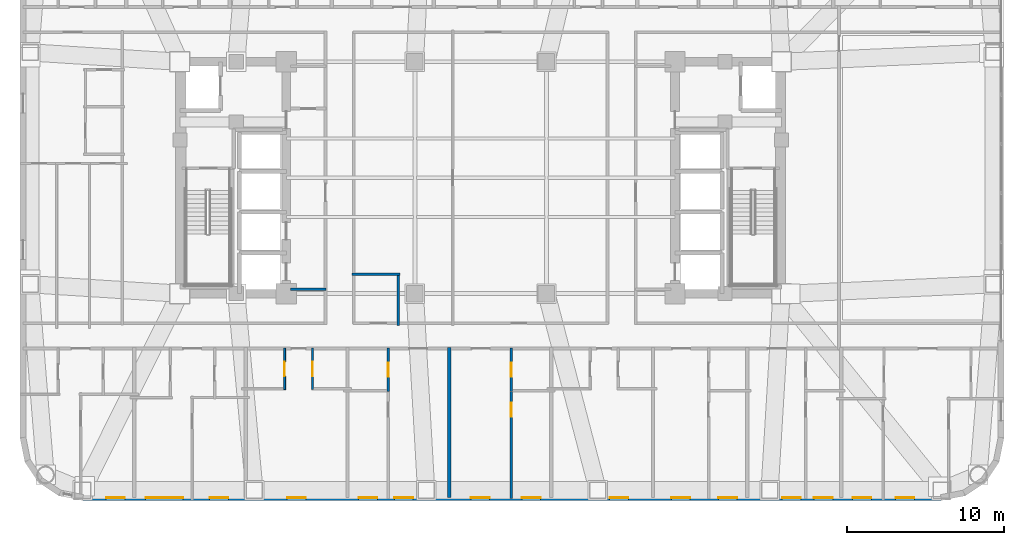
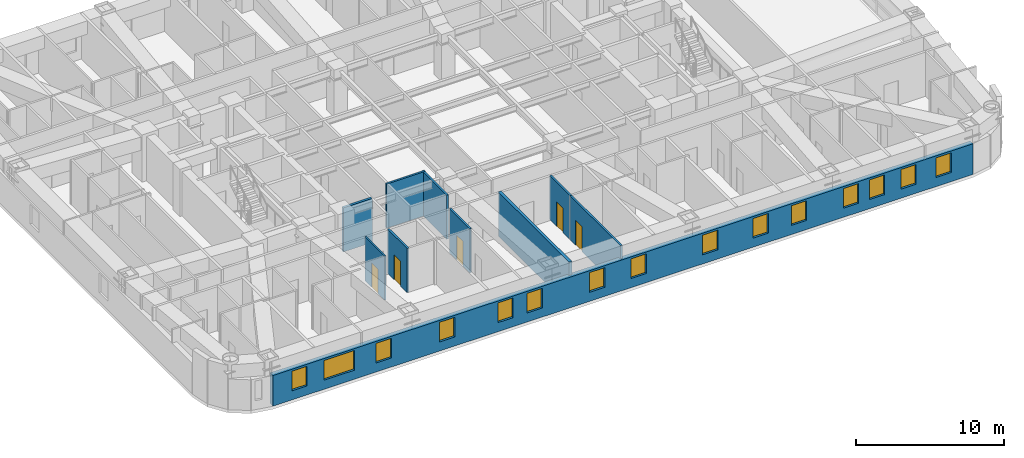
# One storey, part 8 of 16: 15 windows, 10 walls, 5 doors, 20 openings.
"""IFC4 building model written with IfcOpenShell, lengths in metres."""

from ifc_helpers import new_model, si_unit, direction, frame, frame_2d, origin, place, context, subcontext, project, spatial, rectangle, extrude, material, layer, layer_set, type_object, element, fill, save


model = new_model("IFC4")

# Units and contexts
model_context = context("Model", 3, precision=1e-05, world=origin(), true_north=direction((0.0, 1.0)))
body_context = subcontext(model_context, "Body", "Model", "MODEL_VIEW")
ifc_project = project(units=[si_unit("LENGTHUNIT", "METRE"), si_unit("AREAUNIT", "SQUARE_METRE"), si_unit("VOLUMEUNIT", "CUBIC_METRE"), si_unit("PLANEANGLEUNIT", "RADIAN"), si_unit("MASSUNIT", "GRAM", prefix="KILO")], contexts=[model_context])

# Site, building, storey
site_placement = place(None, origin())
site = spatial("IfcSite", under=ifc_project, at=site_placement, CompositionType="ELEMENT")
building_placement = place(site_placement, origin())
building = spatial("IfcBuilding", under=site, at=building_placement, Name="Voryun Gate Residences", CompositionType="ELEMENT")
storey_placement = place(building_placement, frame((0.0, 0.0, 89.699951171875)))
storey = spatial("IfcBuildingStorey", under=building, at=storey_placement, Name="L21", CompositionType="ELEMENT", Elevation=89.699951171875)

# Wall
ifc_material_1 = material(Name="Gypsum acoustic fireboard")
ifc_layer_1 = layer(ifc_material_1, 0.179931640625, Name="W_CORR_RATED_180")
ifc_layer_set_1 = layer_set([ifc_layer_1], Name="Gypsum acoustic fireboard")
wall_type_1 = type_object("IfcWallType", Name="W_CORR_RATED_180", PredefinedType="PARTITIONING", material=ifc_layer_set_1)
wall_1_placement = place(storey_placement, frame((-12.14990234375, -7.1201171875, 0.0), z_axis=(0.0, 0.0, 1.0), x_axis=(1.0, 0.0, 0.0)))
element("IfcWall", 1, at=wall_1_placement, inside=storey, type_object=wall_type_1, Name="Partition wall WP-L21-PLBS-W", PredefinedType="PARTITIONING", context=body_context, shape_type="SweptSolid", body=[
    extrude(rectangle(XDim=2.27001953125, YDim=0.179931640625, at=frame_2d((1.135009765625, 0.0))), origin(), (0.0, 0.0, 1.0), 3.650146484375),
])

# Wall, openings, windows
ifc_material_2 = material(Name="Granite masonry", Category="masonry")
ifc_layer_2 = layer(ifc_material_2, 0.3798828125, Name="W_EXT_GRANITE_380")
ifc_layer_set_2 = layer_set([ifc_layer_2], Name="Granite masonry")
wall_type_2 = type_object("IfcWallType", Name="W_EXT_GRANITE_380", PredefinedType="ELEMENTEDWALL", material=ifc_layer_set_2)
wall_2_placement = place(storey_placement, frame((29.38134765625, -20.409912109375, 0.0), z_axis=(0.0, 0.0, 1.0), x_axis=(-1.0, 0.0, 0.0)))
wall_2 = element("IfcWall", 2, at=wall_2_placement, inside=storey, type_object=wall_type_2, Name="Exterior wall WEXT-L21-01", PredefinedType="ELEMENTEDWALL", context=body_context, shape_type="SweptSolid", body=[
    extrude(rectangle(XDim=54.7626953125, YDim=0.3798828125, at=frame_2d((27.38134765625, 0.0))), origin(), (0.0, 0.0, 1.0), 2.5400390625),
])
opening_1_placement = place(wall_2_placement, frame((48.3671875, 0.0, 0.75)))
opening_1 = element("IfcOpeningElement", 3, at=opening_1_placement, cuts=wall_2, Name="Opening WN2", PredefinedType="OPENING", context=body_context, shape_type="SweptSolid", body=[
    extrude(rectangle(XDim=2.39990234375, YDim=1.6298828125, at=frame_2d((1.199951171875, 0.81494140625))), frame((0.0, 0.199951171875, 0.0), z_axis=(0.0, -1.0, 0.0), x_axis=(1.0, 0.0, 0.0)), (0.0, 0.0, 1.0), 0.39990234375),
])
opening_2_placement = place(wall_2_placement, frame((52.081298828125, 0.0, 0.75)))
opening_2 = element("IfcOpeningElement", 4, at=opening_2_placement, cuts=wall_2, Name="Opening WN6", PredefinedType="OPENING", context=body_context, shape_type="SweptSolid", body=[
    extrude(rectangle(XDim=1.199951171875, YDim=1.6298828125, at=frame_2d((0.60009765625, 0.81494140625))), frame((0.0, 0.199951171875, 0.0), z_axis=(0.0, -1.0, 0.0), x_axis=(1.0, 0.0, 0.0)), (0.0, 0.0, 1.0), 0.39990234375),
])
opening_3_placement = place(wall_2_placement, frame((45.486328125, 0.0, 0.75)))
opening_3 = element("IfcOpeningElement", 5, at=opening_3_placement, cuts=wall_2, Name="Opening WN6", PredefinedType="OPENING", context=body_context, shape_type="SweptSolid", body=[
    extrude(rectangle(XDim=1.199951171875, YDim=1.6298828125, at=frame_2d((0.60009765625, 0.81494140625))), frame((0.0, 0.199951171875, 0.0), z_axis=(0.0, -1.0, 0.0), x_axis=(1.0, 0.0, 0.0)), (0.0, 0.0, 1.0), 0.39990234375),
])
opening_4_placement = place(wall_2_placement, frame((40.53125, 0.0, 0.75)))
opening_4 = element("IfcOpeningElement", 6, at=opening_4_placement, cuts=wall_2, Name="Opening WN6", PredefinedType="OPENING", context=body_context, shape_type="SweptSolid", body=[
    extrude(rectangle(XDim=1.199951171875, YDim=1.6298828125, at=frame_2d((0.60009765625, 0.81494140625))), frame((0.0, 0.199951171875, 0.0), z_axis=(0.0, -1.0, 0.0), x_axis=(1.0, 0.0, 0.0)), (0.0, 0.0, 1.0), 0.39990234375),
])
opening_5_placement = place(wall_2_placement, frame((33.686279296875, 0.0, 0.75)))
opening_5 = element("IfcOpeningElement", 7, at=opening_5_placement, cuts=wall_2, Name="Opening WN6", PredefinedType="OPENING", context=body_context, shape_type="SweptSolid", body=[
    extrude(rectangle(XDim=1.199951171875, YDim=1.6298828125, at=frame_2d((0.60009765625, 0.81494140625))), frame((0.0, 0.199951171875, 0.0), z_axis=(0.0, -1.0, 0.0), x_axis=(1.0, 0.0, 0.0)), (0.0, 0.0, 1.0), 0.39990234375),
])
opening_6_placement = place(wall_2_placement, frame((35.976318359375, 0.0, 0.75)))
opening_6 = element("IfcOpeningElement", 8, at=opening_6_placement, cuts=wall_2, Name="Opening WN6", PredefinedType="OPENING", context=body_context, shape_type="SweptSolid", body=[
    extrude(rectangle(XDim=1.199951171875, YDim=1.6298828125, at=frame_2d((0.60009765625, 0.81494140625))), frame((0.0, 0.199951171875, 0.0), z_axis=(0.0, -1.0, 0.0), x_axis=(1.0, 0.0, 0.0)), (0.0, 0.0, 1.0), 0.39990234375),
])
opening_7_placement = place(wall_2_placement, frame((28.805419921875, 0.0, 0.75)))
opening_7 = element("IfcOpeningElement", 9, at=opening_7_placement, cuts=wall_2, Name="Opening WN6", PredefinedType="OPENING", context=body_context, shape_type="SweptSolid", body=[
    extrude(rectangle(XDim=1.199951171875, YDim=1.6298828125, at=frame_2d((0.60009765625, 0.81494140625))), frame((0.0, 0.199951171875, 0.0), z_axis=(0.0, -1.0, 0.0), x_axis=(1.0, 0.0, 0.0)), (0.0, 0.0, 1.0), 0.39990234375),
])
opening_8_placement = place(wall_2_placement, frame((25.555419921875, 0.0, 0.75)))
opening_8 = element("IfcOpeningElement", 10, at=opening_8_placement, cuts=wall_2, Name="Opening WN6", PredefinedType="OPENING", context=body_context, shape_type="SweptSolid", body=[
    extrude(rectangle(XDim=1.199951171875, YDim=1.6298828125, at=frame_2d((0.60009765625, 0.81494140625))), frame((0.0, 0.199951171875, 0.0), z_axis=(0.0, -1.0, 0.0), x_axis=(1.0, 0.0, 0.0)), (0.0, 0.0, 1.0), 0.39990234375),
])
opening_9_placement = place(wall_2_placement, frame((19.951416015625, 0.0, 0.75)))
opening_9 = element("IfcOpeningElement", 11, at=opening_9_placement, cuts=wall_2, Name="Opening WN6", PredefinedType="OPENING", context=body_context, shape_type="SweptSolid", body=[
    extrude(rectangle(XDim=1.199951171875, YDim=1.6298828125, at=frame_2d((0.60009765625, 0.81494140625))), frame((0.0, 0.199951171875, 0.0), z_axis=(0.0, -1.0, 0.0), x_axis=(1.0, 0.0, 0.0)), (0.0, 0.0, 1.0), 0.39990234375),
])
opening_10_placement = place(wall_2_placement, frame((16.0078125, 0.0, 0.75)))
opening_10 = element("IfcOpeningElement", 12, at=opening_10_placement, cuts=wall_2, Name="Opening WN6", PredefinedType="OPENING", context=body_context, shape_type="SweptSolid", body=[
    extrude(rectangle(XDim=1.199951171875, YDim=1.6298828125, at=frame_2d((0.60009765625, 0.81494140625))), frame((0.0, 0.199951171875, 0.0), z_axis=(0.0, -1.0, 0.0), x_axis=(1.0, 0.0, 0.0)), (0.0, 0.0, 1.0), 0.39990234375),
])
opening_11_placement = place(wall_2_placement, frame((13.0078125, 0.0, 0.75)))
opening_11 = element("IfcOpeningElement", 13, at=opening_11_placement, cuts=wall_2, Name="Opening WN6", PredefinedType="OPENING", context=body_context, shape_type="SweptSolid", body=[
    extrude(rectangle(XDim=1.199951171875, YDim=1.6298828125, at=frame_2d((0.60009765625, 0.81494140625))), frame((0.0, 0.199951171875, 0.0), z_axis=(0.0, -1.0, 0.0), x_axis=(1.0, 0.0, 0.0)), (0.0, 0.0, 1.0), 0.39990234375),
])
opening_12_placement = place(wall_2_placement, frame((8.94775390625, 0.0, 0.75)))
opening_12 = element("IfcOpeningElement", 14, at=opening_12_placement, cuts=wall_2, Name="Opening WN6", PredefinedType="OPENING", context=body_context, shape_type="SweptSolid", body=[
    extrude(rectangle(XDim=1.199951171875, YDim=1.6298828125, at=frame_2d((0.60009765625, 0.81494140625))), frame((0.0, 0.199951171875, 0.0), z_axis=(0.0, -1.0, 0.0), x_axis=(1.0, 0.0, 0.0)), (0.0, 0.0, 1.0), 0.39990234375),
])
opening_13_placement = place(wall_2_placement, frame((6.90771484375, 0.0, 0.75)))
opening_13 = element("IfcOpeningElement", 15, at=opening_13_placement, cuts=wall_2, Name="Opening WN6", PredefinedType="OPENING", context=body_context, shape_type="SweptSolid", body=[
    extrude(rectangle(XDim=1.199951171875, YDim=1.6298828125, at=frame_2d((0.60009765625, 0.81494140625))), frame((0.0, 0.199951171875, 0.0), z_axis=(0.0, -1.0, 0.0), x_axis=(1.0, 0.0, 0.0)), (0.0, 0.0, 1.0), 0.39990234375),
])
opening_14_placement = place(wall_2_placement, frame((1.695068359375, 0.0, 0.75)))
opening_14 = element("IfcOpeningElement", 16, at=opening_14_placement, cuts=wall_2, Name="Opening WN6", PredefinedType="OPENING", context=body_context, shape_type="SweptSolid", body=[
    extrude(rectangle(XDim=1.199951171875, YDim=1.6298828125, at=frame_2d((0.60009765625, 0.81494140625))), frame((0.0, 0.199951171875, 0.0), z_axis=(0.0, -1.0, 0.0), x_axis=(1.0, 0.0, 0.0)), (0.0, 0.0, 1.0), 0.39990234375),
])
opening_15_placement = place(wall_2_placement, frame((4.44091796875, 0.0, 0.75)))
opening_15 = element("IfcOpeningElement", 17, at=opening_15_placement, cuts=wall_2, Name="Opening WN6", PredefinedType="OPENING", context=body_context, shape_type="SweptSolid", body=[
    extrude(rectangle(XDim=1.199951171875, YDim=1.6298828125, at=frame_2d((0.60009765625, 0.81494140625))), frame((0.0, 0.199951171875, 0.0), z_axis=(0.0, -1.0, 0.0), x_axis=(1.0, 0.0, 0.0)), (0.0, 0.0, 1.0), 0.39990234375),
])
ifc_material_3 = material(Name="Laminated low-E glass", Category="glass")
window_type_1 = type_object("IfcWindowType", Name="WN_POD_SLOT_1200", PartitioningType="SINGLE_PANEL", PredefinedType="WINDOW", material=ifc_material_3)
window_1_placement = place(opening_2_placement, origin())
window_1 = element("IfcWindow", 18, at=window_1_placement, inside=storey, type_object=window_type_1, Name="Window WN-L21-DWFIX-16", OverallHeight=1.6298828125, OverallWidth=1.199951171875, PartitioningType="SINGLE_PANEL", PredefinedType="WINDOW", context=body_context, shape_type="SweptSolid", body=[
    extrude(rectangle(XDim=1.199951171875, YDim=1.6298828125, at=frame_2d((0.60009765625, 0.81494140625))), frame((0.0, 0.030029296875, 0.0), z_axis=(0.0, -1.0, 0.0), x_axis=(1.0, 0.0, 0.0)), (0.0, 0.0, 1.0), 0.06005859375),
])
fill(opening_2, window_1)
window_2_placement = place(opening_3_placement, origin())
window_2 = element("IfcWindow", 19, at=window_2_placement, inside=storey, type_object=window_type_1, Name="Window WN-L21-DWFIX-17", OverallHeight=1.6298828125, OverallWidth=1.199951171875, PartitioningType="SINGLE_PANEL", PredefinedType="WINDOW", context=body_context, shape_type="SweptSolid", body=[
    extrude(rectangle(XDim=1.199951171875, YDim=1.6298828125, at=frame_2d((0.60009765625, 0.81494140625))), frame((0.0, 0.030029296875, 0.0), z_axis=(0.0, -1.0, 0.0), x_axis=(1.0, 0.0, 0.0)), (0.0, 0.0, 1.0), 0.06005859375),
])
fill(opening_3, window_2)
window_3_placement = place(opening_4_placement, origin())
window_3 = element("IfcWindow", 20, at=window_3_placement, inside=storey, type_object=window_type_1, Name="Window WN-L21-DWFIX-18", OverallHeight=1.6298828125, OverallWidth=1.199951171875, PartitioningType="SINGLE_PANEL", PredefinedType="WINDOW", context=body_context, shape_type="SweptSolid", body=[
    extrude(rectangle(XDim=1.199951171875, YDim=1.6298828125, at=frame_2d((0.60009765625, 0.81494140625))), frame((0.0, 0.030029296875, 0.0), z_axis=(0.0, -1.0, 0.0), x_axis=(1.0, 0.0, 0.0)), (0.0, 0.0, 1.0), 0.06005859375),
])
fill(opening_4, window_3)
window_4_placement = place(opening_5_placement, origin())
window_4 = element("IfcWindow", 21, at=window_4_placement, inside=storey, type_object=window_type_1, Name="Window WN-L21-DWFIX-19", OverallHeight=1.6298828125, OverallWidth=1.199951171875, PartitioningType="SINGLE_PANEL", PredefinedType="WINDOW", context=body_context, shape_type="SweptSolid", body=[
    extrude(rectangle(XDim=1.199951171875, YDim=1.6298828125, at=frame_2d((0.60009765625, 0.81494140625))), frame((0.0, 0.030029296875, 0.0), z_axis=(0.0, -1.0, 0.0), x_axis=(1.0, 0.0, 0.0)), (0.0, 0.0, 1.0), 0.06005859375),
])
fill(opening_5, window_4)
window_5_placement = place(opening_6_placement, origin())
window_5 = element("IfcWindow", 22, at=window_5_placement, inside=storey, type_object=window_type_1, Name="Window WN-L21-DWFIX-20", OverallHeight=1.6298828125, OverallWidth=1.199951171875, PartitioningType="SINGLE_PANEL", PredefinedType="WINDOW", context=body_context, shape_type="SweptSolid", body=[
    extrude(rectangle(XDim=1.199951171875, YDim=1.6298828125, at=frame_2d((0.60009765625, 0.81494140625))), frame((0.0, 0.030029296875, 0.0), z_axis=(0.0, -1.0, 0.0), x_axis=(1.0, 0.0, 0.0)), (0.0, 0.0, 1.0), 0.06005859375),
])
fill(opening_6, window_5)
window_6_placement = place(opening_7_placement, origin())
window_6 = element("IfcWindow", 23, at=window_6_placement, inside=storey, type_object=window_type_1, Name="Window WN-L21-DWFIX-21", OverallHeight=1.6298828125, OverallWidth=1.199951171875, PartitioningType="SINGLE_PANEL", PredefinedType="WINDOW", context=body_context, shape_type="SweptSolid", body=[
    extrude(rectangle(XDim=1.199951171875, YDim=1.6298828125, at=frame_2d((0.60009765625, 0.81494140625))), frame((0.0, 0.030029296875, 0.0), z_axis=(0.0, -1.0, 0.0), x_axis=(1.0, 0.0, 0.0)), (0.0, 0.0, 1.0), 0.06005859375),
])
fill(opening_7, window_6)
window_7_placement = place(opening_8_placement, origin())
window_7 = element("IfcWindow", 24, at=window_7_placement, inside=storey, type_object=window_type_1, Name="Window WN-L21-DWFIX-22", OverallHeight=1.6298828125, OverallWidth=1.199951171875, PartitioningType="SINGLE_PANEL", PredefinedType="WINDOW", context=body_context, shape_type="SweptSolid", body=[
    extrude(rectangle(XDim=1.199951171875, YDim=1.6298828125, at=frame_2d((0.60009765625, 0.81494140625))), frame((0.0, 0.030029296875, 0.0), z_axis=(0.0, -1.0, 0.0), x_axis=(1.0, 0.0, 0.0)), (0.0, 0.0, 1.0), 0.06005859375),
])
fill(opening_8, window_7)
window_8_placement = place(opening_9_placement, origin())
window_8 = element("IfcWindow", 25, at=window_8_placement, inside=storey, type_object=window_type_1, Name="Window WN-L21-DWFIX-23", OverallHeight=1.6298828125, OverallWidth=1.199951171875, PartitioningType="SINGLE_PANEL", PredefinedType="WINDOW", context=body_context, shape_type="SweptSolid", body=[
    extrude(rectangle(XDim=1.199951171875, YDim=1.6298828125, at=frame_2d((0.60009765625, 0.81494140625))), frame((0.0, 0.030029296875, 0.0), z_axis=(0.0, -1.0, 0.0), x_axis=(1.0, 0.0, 0.0)), (0.0, 0.0, 1.0), 0.06005859375),
])
fill(opening_9, window_8)
window_9_placement = place(opening_10_placement, origin())
window_9 = element("IfcWindow", 26, at=window_9_placement, inside=storey, type_object=window_type_1, Name="Window WN-L21-DWFIX-24", OverallHeight=1.6298828125, OverallWidth=1.199951171875, PartitioningType="SINGLE_PANEL", PredefinedType="WINDOW", context=body_context, shape_type="SweptSolid", body=[
    extrude(rectangle(XDim=1.199951171875, YDim=1.6298828125, at=frame_2d((0.60009765625, 0.81494140625))), frame((0.0, 0.030029296875, 0.0), z_axis=(0.0, -1.0, 0.0), x_axis=(1.0, 0.0, 0.0)), (0.0, 0.0, 1.0), 0.06005859375),
])
fill(opening_10, window_9)
window_10_placement = place(opening_11_placement, origin())
window_10 = element("IfcWindow", 27, at=window_10_placement, inside=storey, type_object=window_type_1, Name="Window WN-L21-DWFIX-25", OverallHeight=1.6298828125, OverallWidth=1.199951171875, PartitioningType="SINGLE_PANEL", PredefinedType="WINDOW", context=body_context, shape_type="SweptSolid", body=[
    extrude(rectangle(XDim=1.199951171875, YDim=1.6298828125, at=frame_2d((0.60009765625, 0.81494140625))), frame((0.0, 0.030029296875, 0.0), z_axis=(0.0, -1.0, 0.0), x_axis=(1.0, 0.0, 0.0)), (0.0, 0.0, 1.0), 0.06005859375),
])
fill(opening_11, window_10)
window_11_placement = place(opening_12_placement, origin())
window_11 = element("IfcWindow", 28, at=window_11_placement, inside=storey, type_object=window_type_1, Name="Window WN-L21-DWFIX-26", OverallHeight=1.6298828125, OverallWidth=1.199951171875, PartitioningType="SINGLE_PANEL", PredefinedType="WINDOW", context=body_context, shape_type="SweptSolid", body=[
    extrude(rectangle(XDim=1.199951171875, YDim=1.6298828125, at=frame_2d((0.60009765625, 0.81494140625))), frame((0.0, 0.030029296875, 0.0), z_axis=(0.0, -1.0, 0.0), x_axis=(1.0, 0.0, 0.0)), (0.0, 0.0, 1.0), 0.06005859375),
])
fill(opening_12, window_11)
window_12_placement = place(opening_13_placement, origin())
window_12 = element("IfcWindow", 29, at=window_12_placement, inside=storey, type_object=window_type_1, Name="Window WN-L21-DWFIX-27", OverallHeight=1.6298828125, OverallWidth=1.199951171875, PartitioningType="SINGLE_PANEL", PredefinedType="WINDOW", context=body_context, shape_type="SweptSolid", body=[
    extrude(rectangle(XDim=1.199951171875, YDim=1.6298828125, at=frame_2d((0.60009765625, 0.81494140625))), frame((0.0, 0.030029296875, 0.0), z_axis=(0.0, -1.0, 0.0), x_axis=(1.0, 0.0, 0.0)), (0.0, 0.0, 1.0), 0.06005859375),
])
fill(opening_13, window_12)
window_13_placement = place(opening_14_placement, origin())
window_13 = element("IfcWindow", 30, at=window_13_placement, inside=storey, type_object=window_type_1, Name="Window WN-L21-DWFIX-28", OverallHeight=1.6298828125, OverallWidth=1.199951171875, PartitioningType="SINGLE_PANEL", PredefinedType="WINDOW", context=body_context, shape_type="SweptSolid", body=[
    extrude(rectangle(XDim=1.199951171875, YDim=1.6298828125, at=frame_2d((0.60009765625, 0.81494140625))), frame((0.0, 0.030029296875, 0.0), z_axis=(0.0, -1.0, 0.0), x_axis=(1.0, 0.0, 0.0)), (0.0, 0.0, 1.0), 0.06005859375),
])
fill(opening_14, window_13)
window_14_placement = place(opening_15_placement, origin())
window_14 = element("IfcWindow", 31, at=window_14_placement, inside=storey, type_object=window_type_1, Name="Window WN-L21-DWFIX-29", OverallHeight=1.6298828125, OverallWidth=1.199951171875, PartitioningType="SINGLE_PANEL", PredefinedType="WINDOW", context=body_context, shape_type="SweptSolid", body=[
    extrude(rectangle(XDim=1.199951171875, YDim=1.6298828125, at=frame_2d((0.60009765625, 0.81494140625))), frame((0.0, 0.030029296875, 0.0), z_axis=(0.0, -1.0, 0.0), x_axis=(1.0, 0.0, 0.0)), (0.0, 0.0, 1.0), 0.06005859375),
])
fill(opening_15, window_14)
ifc_material_4 = material(Name="Laminated low-E glass", Category="glass")
window_type_2 = type_object("IfcWindowType", Name="WN_RES_WIDE_2400", PartitioningType="SINGLE_PANEL", PredefinedType="WINDOW", material=ifc_material_4)
window_15_placement = place(opening_1_placement, origin())
window_15 = element("IfcWindow", 32, at=window_15_placement, inside=storey, type_object=window_type_2, Name="Window WN-WEXT-L21-01-04", OverallHeight=1.6298828125, OverallWidth=2.39990234375, PartitioningType="SINGLE_PANEL", PredefinedType="WINDOW", context=body_context, shape_type="SweptSolid", body=[
    extrude(rectangle(XDim=2.39990234375, YDim=1.6298828125, at=frame_2d((1.199951171875, 0.81494140625))), frame((0.0, 0.030029296875, 0.0), z_axis=(0.0, -1.0, 0.0), x_axis=(1.0, 0.0, 0.0)), (0.0, 0.0, 1.0), 0.06005859375),
])
fill(opening_1, window_15)

# Wall
ifc_material_5 = material(Name="Concrete C40/50", Category="concrete")
ifc_layer_3 = layer(ifc_material_5, 0.219970703125, Name="W_PARTY_ACOUSTIC_220")
ifc_layer_set_3 = layer_set([ifc_layer_3], Name="Concrete C40/50")
wall_type_3 = type_object("IfcWallType", Name="W_PARTY_ACOUSTIC_220", PredefinedType="PARTITIONING", material=ifc_layer_set_3)
wall_3_placement = place(storey_placement, frame((-2.0, -20.409912109375, 0.0), z_axis=(0.0, 0.0, 1.0), x_axis=(0.0, 1.0, 0.0)))
element("IfcWall", 33, at=wall_3_placement, inside=storey, type_object=wall_type_3, Name="Partition wall WP-L21-SPTY-4", PredefinedType="PARTITIONING", context=body_context, shape_type="SweptSolid", body=[
    extrude(rectangle(XDim=9.58984375, YDim=0.219970703125, at=frame_2d((4.794921875, 0.0))), origin(), (0.0, 0.0, 1.0), 3.650146484375),
])

# Wall, opening, door
ifc_material_6 = material(Name="Gypsum acoustic partition")
ifc_layer_4 = layer(ifc_material_6, 0.125, Name="W_UNIT_PART_125")
ifc_layer_set_4 = layer_set([ifc_layer_4], Name="Gypsum acoustic partition")
wall_type_4 = type_object("IfcWallType", Name="W_UNIT_PART_125", PredefinedType="PARTITIONING", material=ifc_layer_set_4)
wall_4_placement = place(storey_placement, frame((-12.51611328125, -13.530029296875, 0.0), z_axis=(0.0, 0.0, 1.0), x_axis=(0.0, 1.0, 0.0)))
wall_4 = element("IfcWall", 34, at=wall_4_placement, inside=storey, type_object=wall_type_4, Name="Partition wall WP-L21-S3-CVK", PredefinedType="PARTITIONING", context=body_context, shape_type="SweptSolid", body=[
    extrude(rectangle(XDim=2.650146484375, YDim=0.125, at=frame_2d((1.3251953125, 0.0))), origin(), (0.0, 0.0, 1.0), 3.650146484375),
])
opening_16_placement = place(wall_4_placement, frame((0.875, 0.0, 0.0)))
opening_16 = element("IfcOpeningElement", 35, at=opening_16_placement, cuts=wall_4, Name="Opening D-INT-2", PredefinedType="OPENING", context=body_context, shape_type="SweptSolid", body=[
    extrude(rectangle(XDim=0.89990234375, YDim=2.050048828125, at=frame_2d((0.449951171875, 1.02490234375))), frame((0.0, 0.072509765625, 0.0), z_axis=(0.0, -1.0, 0.0), x_axis=(1.0, 0.0, 0.0)), (0.0, 0.0, 1.0), 0.14501953125),
])
ifc_material_7 = material(Name="Architectural oak veneer")
door_type = type_object("IfcDoorType", Name="DR_INT_BATH_900", OperationType="NOTDEFINED", PredefinedType="DOOR", material=ifc_material_7)
door_1_placement = place(opening_16_placement, origin())
door_1 = element("IfcDoor", 36, at=door_1_placement, inside=storey, type_object=door_type, Name="Door DR-L21-S3-DK", OperationType="SINGLE_SWING_LEFT", OverallHeight=2.050048828125, OverallWidth=0.89990234375, PredefinedType="DOOR", context=body_context, shape_type="SweptSolid", body=[
    extrude(rectangle(XDim=0.89990234375, YDim=2.050048828125, at=frame_2d((0.449951171875, 1.02490234375))), frame((0.0, 0.02490234375, 0.0), z_axis=(0.0, -1.0, 0.0), x_axis=(1.0, 0.0, 0.0)), (0.0, 0.0, 1.0), 0.050048828125),
])
fill(opening_16, door_1)

# Walls
ifc_material_8 = material(Name="Gypsum moisture-resistant partition")
ifc_layer_5 = layer(ifc_material_8, 0.14990234375, Name="W_WET_PLUMB_150")
ifc_layer_set_5 = layer_set([ifc_layer_5], Name="Gypsum moisture-resistant partition")
wall_type_5 = type_object("IfcWallType", Name="W_WET_PLUMB_150", PredefinedType="PLUMBINGWALL", material=ifc_layer_set_5)
wall_5_placement = place(storey_placement, frame((-5.260009765625, -9.419921875, 0.0), z_axis=(0.0, 0.0, 1.0), x_axis=(0.0, 1.0, 0.0)))
element("IfcWall", 37, at=wall_5_placement, inside=storey, type_object=wall_type_5, Name="Partition wall WP-L21-CMWCX", PredefinedType="PLUMBINGWALL", context=body_context, shape_type="SweptSolid", body=[
    extrude(rectangle(XDim=3.349853515625, YDim=0.14990234375, at=frame_2d((1.6748046875, 0.0))), origin(), (0.0, 0.0, 1.0), 3.650146484375),
])
wall_6_placement = place(storey_placement, frame((-8.2099609375, -6.169921875, 0.0), z_axis=(0.0, 0.0, 1.0), x_axis=(1.0, 0.0, 0.0)))
element("IfcWall", 38, at=wall_6_placement, inside=storey, type_object=wall_type_5, Name="Partition wall WP-L21-CMWCY", PredefinedType="PLUMBINGWALL", context=body_context, shape_type="SweptSolid", body=[
    extrude(rectangle(XDim=3.050048828125, YDim=0.14990234375, at=frame_2d((1.52490234375, 0.0))), origin(), (0.0, 0.0, 1.0), 3.650146484375),
])

# Wall, opening, door
wall_7_placement = place(storey_placement, frame((-10.72900390625, -13.530029296875, 0.0), z_axis=(0.0, 0.0, 1.0), x_axis=(0.0, 1.0, 0.0)))
wall_7 = element("IfcWall", 39, at=wall_7_placement, inside=storey, type_object=wall_type_5, Name="Partition wall WP-L21-S3-CVB", PredefinedType="PLUMBINGWALL", context=body_context, shape_type="SweptSolid", body=[
    extrude(rectangle(XDim=2.650146484375, YDim=0.14990234375, at=frame_2d((1.3251953125, 0.0))), origin(), (0.0, 0.0, 1.0), 3.650146484375),
])
opening_17_placement = place(wall_7_placement, frame((0.875, 0.0, 0.0)))
opening_17 = element("IfcOpeningElement", 40, at=opening_17_placement, cuts=wall_7, Name="Opening D-INT-2", PredefinedType="OPENING", context=body_context, shape_type="SweptSolid", body=[
    extrude(rectangle(XDim=0.89990234375, YDim=2.050048828125, at=frame_2d((0.449951171875, 1.02490234375))), frame((0.0, 0.0849609375, 0.0), z_axis=(0.0, -1.0, 0.0), x_axis=(1.0, 0.0, 0.0)), (0.0, 0.0, 1.0), 0.169921875),
])
door_2_placement = place(opening_17_placement, origin())
door_2 = element("IfcDoor", 41, at=door_2_placement, inside=storey, type_object=door_type, Name="Door DR-L21-S3-DB", OperationType="SINGLE_SWING_RIGHT", OverallHeight=2.050048828125, OverallWidth=0.89990234375, PredefinedType="DOOR", context=body_context, shape_type="SweptSolid", body=[
    extrude(rectangle(XDim=0.89990234375, YDim=2.050048828125, at=frame_2d((0.449951171875, 1.02490234375))), frame((0.0, 0.02490234375, 0.0), z_axis=(0.0, -1.0, 0.0), x_axis=(1.0, 0.0, 0.0)), (0.0, 0.0, 1.0), 0.050048828125),
])
fill(opening_17, door_2)

wall_8_placement = place(storey_placement, frame((-5.889892578125, -13.639892578125, 0.0), z_axis=(0.0, 0.0, 1.0), x_axis=(0.0, 1.0, 0.0)))
wall_8 = element("IfcWall", 42, at=wall_8_placement, inside=storey, type_object=wall_type_5, Name="Partition wall WP-L21-S4-SVT2", PredefinedType="PLUMBINGWALL", context=body_context, shape_type="SweptSolid", body=[
    extrude(rectangle(XDim=2.760009765625, YDim=0.14990234375, at=frame_2d((1.3798828125, 0.0))), origin(), (0.0, 0.0, 1.0), 3.650146484375),
])
opening_18_placement = place(wall_8_placement, frame((0.929931640625, 0.0, 0.0)))
opening_18 = element("IfcOpeningElement", 43, at=opening_18_placement, cuts=wall_8, Name="Opening D-INT-2", PredefinedType="OPENING", context=body_context, shape_type="SweptSolid", body=[
    extrude(rectangle(XDim=0.89990234375, YDim=2.050048828125, at=frame_2d((0.449951171875, 1.02490234375))), frame((0.0, 0.0849609375, 0.0), z_axis=(0.0, -1.0, 0.0), x_axis=(1.0, 0.0, 0.0)), (0.0, 0.0, 1.0), 0.169921875),
])
door_3_placement = place(opening_18_placement, origin())
door_3 = element("IfcDoor", 44, at=door_3_placement, inside=storey, type_object=door_type, Name="Door DR-L21-S4-DB", OperationType="SINGLE_SWING_RIGHT", OverallHeight=2.050048828125, OverallWidth=0.89990234375, PredefinedType="DOOR", context=body_context, shape_type="SweptSolid", body=[
    extrude(rectangle(XDim=0.89990234375, YDim=2.050048828125, at=frame_2d((0.449951171875, 1.02490234375))), frame((0.0, 0.02490234375, 0.0), z_axis=(0.0, -1.0, 0.0), x_axis=(1.0, 0.0, 0.0)), (0.0, 0.0, 1.0), 0.050048828125),
])
fill(opening_18, door_3)

wall_9_placement = place(storey_placement, frame((1.951904296875, -20.45751953125, 0.0), z_axis=(0.0, 0.0, 1.0), x_axis=(0.0, 1.0, 0.0)))
wall_9 = element("IfcWall", 45, at=wall_9_placement, inside=storey, type_object=wall_type_5, Name="Partition wall WP-L21-S5-SVT1", PredefinedType="PLUMBINGWALL", context=body_context, shape_type="SweptSolid", body=[
    extrude(rectangle(XDim=6.8974609375, YDim=0.14990234375, at=frame_2d((3.44873046875, 0.0))), origin(), (0.0, 0.0, 1.0), 3.650146484375),
])
opening_19_placement = place(wall_9_placement, frame((5.2060546875, 0.0, 0.0)))
opening_19 = element("IfcOpeningElement", 46, at=opening_19_placement, cuts=wall_9, Name="Opening D-INT-2", PredefinedType="OPENING", context=body_context, shape_type="SweptSolid", body=[
    extrude(rectangle(XDim=0.89990234375, YDim=2.050048828125, at=frame_2d((0.449951171875, 1.02490234375))), frame((0.0, 0.0849609375, 0.0), z_axis=(0.0, -1.0, 0.0), x_axis=(1.0, 0.0, 0.0)), (0.0, 0.0, 1.0), 0.169921875),
])
door_4_placement = place(opening_19_placement, origin())
door_4 = element("IfcDoor", 47, at=door_4_placement, inside=storey, type_object=door_type, Name="Door DR-L21-S5-DK", OperationType="SINGLE_SWING_LEFT", OverallHeight=2.050048828125, OverallWidth=0.89990234375, PredefinedType="DOOR", context=body_context, shape_type="SweptSolid", body=[
    extrude(rectangle(XDim=0.89990234375, YDim=2.050048828125, at=frame_2d((0.449951171875, 1.02490234375))), frame((0.0, 0.02490234375, 0.0), z_axis=(0.0, -1.0, 0.0), x_axis=(1.0, 0.0, 0.0)), (0.0, 0.0, 1.0), 0.050048828125),
])
fill(opening_19, door_4)

wall_10_placement = place(storey_placement, frame((1.951904296875, -13.639892578125, 0.0), z_axis=(0.0, 0.0, 1.0), x_axis=(0.0, 1.0, 0.0)))
wall_10 = element("IfcWall", 48, at=wall_10_placement, inside=storey, type_object=wall_type_5, Name="Partition wall WP-L21-S5-SVT2", PredefinedType="PLUMBINGWALL", context=body_context, shape_type="SweptSolid", body=[
    extrude(rectangle(XDim=2.760009765625, YDim=0.14990234375, at=frame_2d((1.3798828125, 0.0))), origin(), (0.0, 0.0, 1.0), 3.650146484375),
])
opening_20_placement = place(wall_10_placement, frame((0.929931640625, 0.0, 0.0)))
opening_20 = element("IfcOpeningElement", 49, at=opening_20_placement, cuts=wall_10, Name="Opening D-INT-2", PredefinedType="OPENING", context=body_context, shape_type="SweptSolid", body=[
    extrude(rectangle(XDim=0.89990234375, YDim=2.050048828125, at=frame_2d((0.449951171875, 1.02490234375))), frame((0.0, 0.0849609375, 0.0), z_axis=(0.0, -1.0, 0.0), x_axis=(1.0, 0.0, 0.0)), (0.0, 0.0, 1.0), 0.169921875),
])
door_5_placement = place(opening_20_placement, origin())
door_5 = element("IfcDoor", 50, at=door_5_placement, inside=storey, type_object=door_type, Name="Door DR-L21-S5-DB", OperationType="SINGLE_SWING_RIGHT", OverallHeight=2.050048828125, OverallWidth=0.89990234375, PredefinedType="DOOR", context=body_context, shape_type="SweptSolid", body=[
    extrude(rectangle(XDim=0.89990234375, YDim=2.050048828125, at=frame_2d((0.449951171875, 1.02490234375))), frame((0.0, 0.02490234375, 0.0), z_axis=(0.0, -1.0, 0.0), x_axis=(1.0, 0.0, 0.0)), (0.0, 0.0, 1.0), 0.050048828125),
])
fill(opening_20, door_5)

save(model, "model.ifc")
